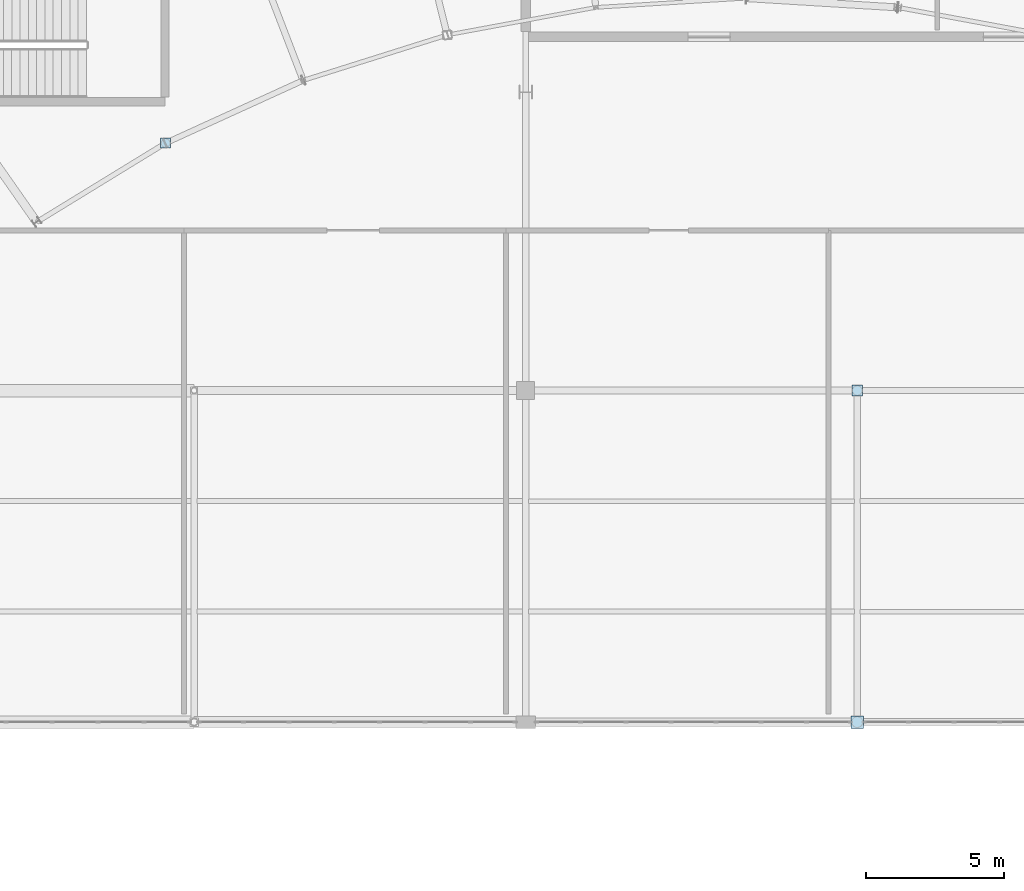
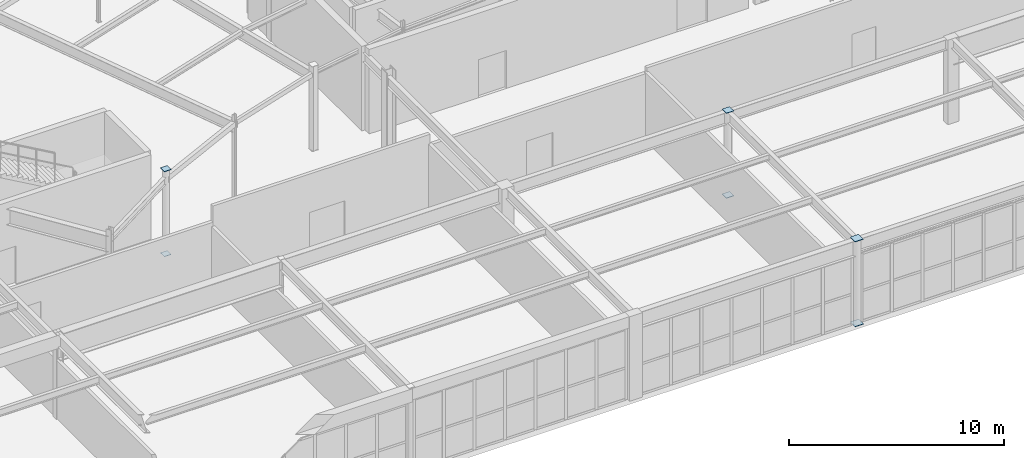
# One storey, part 140 of 186: 6 plates.
"""IFC4 building model written with IfcOpenShell, lengths in metres."""

from ifc_helpers import new_model, si_unit, direction, frame, origin, origin_2d, place, context, subcontext, project, spatial, rectangle, extrude, material, layer, layer_set, type_object, element, save


model = new_model("IFC4")

# Units and contexts
model_context = context("Model", 3, precision=1e-05, world=origin(), true_north=direction((0.0, 1.0)))
body_context = subcontext(model_context, "Body", "Model", "MODEL_VIEW")
ifc_project = project(units=[si_unit("LENGTHUNIT", "METRE"), si_unit("AREAUNIT", "SQUARE_METRE"), si_unit("VOLUMEUNIT", "CUBIC_METRE"), si_unit("PLANEANGLEUNIT", "RADIAN"), si_unit("MASSUNIT", "GRAM", prefix="KILO")], contexts=[model_context])

# Site, building, storey
site_placement = place(None, origin())
site = spatial("IfcSite", under=ifc_project, at=site_placement, CompositionType="ELEMENT")
building_placement = place(site_placement, origin())
building = spatial("IfcBuilding", under=site, at=building_placement, Name="Tarnwether General Hospital", CompositionType="ELEMENT")
storey_placement = place(building_placement, frame((0.0, 0.0, 9.60009765625)))
storey = spatial("IfcBuildingStorey", under=building, at=storey_placement, Name="L02", CompositionType="ELEMENT", Elevation=9.60009765625)

# Plates
ifc_material = material(Name="Steel Grade 350 (350 MPa)", Category="steel")
ifc_layer = layer(ifc_material, 0.02490234375)
ifc_layer_set = layer_set([ifc_layer], Name="Steel Grade 350 (350 MPa)")
plate_type = type_object("IfcPlateType", Name="PT-GUS2", PredefinedType="USERDEFINED", material=ifc_layer_set)
for number, where, z_axis, x_axis, name in (
    (1, (96.0, 81.60009765625, -0.025146484375), (0.0, 0.0, 1.0), (1.0, 0.0, 0.0), "Hollow Section Welded End Cap Plate 0169"),
    (2, (96.0, 81.60009765625, 4.800048828125), (0.0, 0.0, 1.0), (1.0, 0.0, 0.0), "Hollow Section Welded End Cap Plate 0170"),
):
    element("IfcPlate", number, at=place(storey_placement, frame(where, z_axis=z_axis, x_axis=x_axis)), inside=storey, type_object=plate_type, Name=name, ObjectType="GUSSET", PredefinedType="USERDEFINED", context=body_context, shape_type="SweptSolid", body=[
        extrude(rectangle(XDim=0.446044921875, YDim=0.446044921875, at=origin_2d()), origin(), (0.0, 0.0, 1.0), 0.02490234375),
    ])
for number, where, z_axis, x_axis, name in (
    (3, (96.0, 93.60009765625, -0.025146484375), (0.0, 0.0, 1.0), (1.0, 0.0, 0.0), "Hollow Section Welded End Cap Plate 0173"),
    (4, (96.0, 93.60009765625, 4.800048828125), (0.0, 0.0, 1.0), (1.0, 0.0, 0.0), "Hollow Section Welded End Cap Plate 0174"),
):
    element("IfcPlate", number, at=place(storey_placement, frame(where, z_axis=z_axis, x_axis=x_axis)), inside=storey, type_object=plate_type, Name=name, ObjectType="GUSSET", PredefinedType="USERDEFINED", context=body_context, shape_type="SweptSolid", body=[
        extrude(rectangle(XDim=0.39599609375, YDim=0.39599609375, at=origin_2d()), origin(), (0.0, 0.0, 1.0), 0.02490234375),
    ])
for number, where, z_axis, x_axis, name in (
    (5, (70.968017578125, 102.555908203125, -0.025146484375), (0.0, 0.0, 1.0), (1.0, 0.0, 0.0), "Hollow Section Welded End Cap Plate 0471"),
    (6, (70.968017578125, 102.555908203125, 4.800048828125), (0.0, 0.0, 1.0), (1.0, 0.0, 0.0), "Hollow Section Welded End Cap Plate 0472"),
):
    element("IfcPlate", number, at=place(storey_placement, frame(where, z_axis=z_axis, x_axis=x_axis)), inside=storey, type_object=plate_type, Name=name, ObjectType="GUSSET", PredefinedType="USERDEFINED", context=body_context, shape_type="SweptSolid", body=[
        extrude(rectangle(XDim=0.364013671875, YDim=0.364013671875, at=origin_2d()), origin(), (0.0, 0.0, 1.0), 0.02490234375),
    ])

save(model, "model.ifc")
